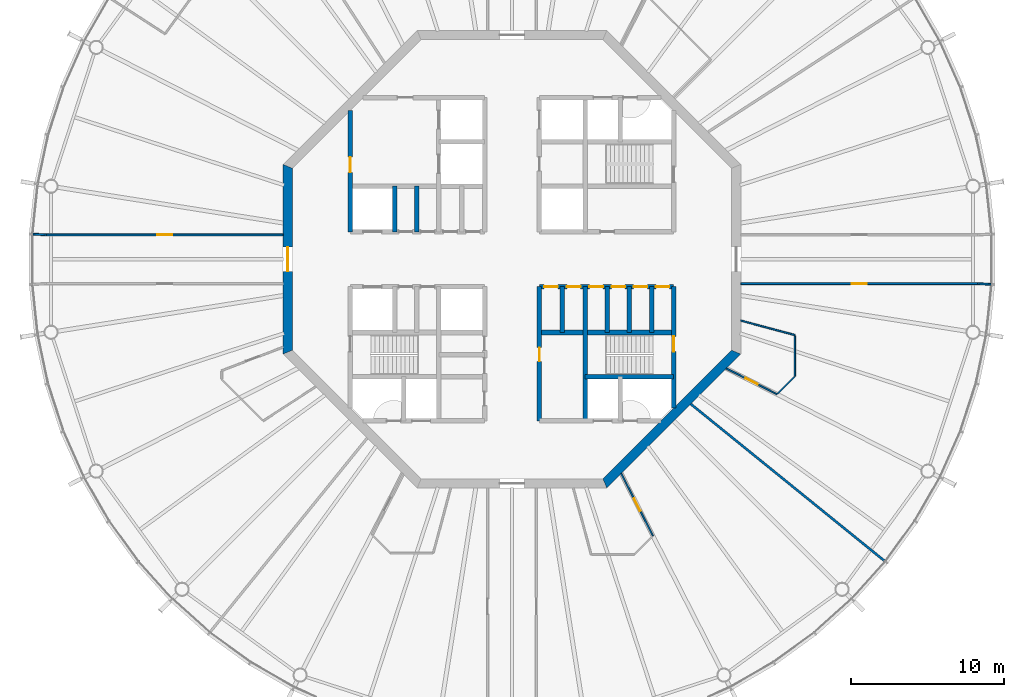
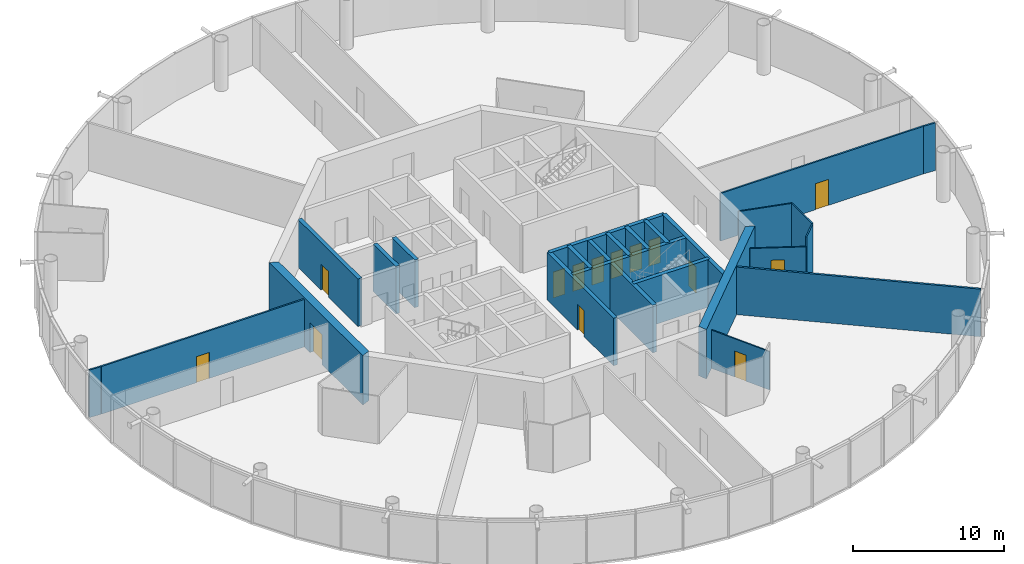
# One storey, part 4 of 19: 25 walls, 14 doors, 14 openings.
"""IFC4 building model written with IfcOpenShell, lengths in metres."""

from ifc_helpers import new_model, si_unit, direction, frame, frame_2d, origin, place, context, subcontext, project, spatial, polyline, rectangle, outline, extrude, material, layer, layer_set, type_object, element, fill, save


model = new_model("IFC4")

# Units and contexts
model_context = context("Model", 3, precision=1e-05, world=origin(), true_north=direction((0.0, 1.0)))
body_context = subcontext(model_context, "Body", "Model", "MODEL_VIEW")
ifc_project = project(units=[si_unit("LENGTHUNIT", "METRE"), si_unit("AREAUNIT", "SQUARE_METRE"), si_unit("VOLUMEUNIT", "CUBIC_METRE"), si_unit("PLANEANGLEUNIT", "RADIAN"), si_unit("MASSUNIT", "GRAM", prefix="KILO")], contexts=[model_context])

# Site, building, storey
site_placement = place(None, origin())
site = spatial("IfcSite", under=ifc_project, at=site_placement, CompositionType="ELEMENT")
building_placement = place(site_placement, origin())
building = spatial("IfcBuilding", under=site, at=building_placement, Name="Entoto Ring Tower", CompositionType="ELEMENT")
storey_placement = place(building_placement, frame((0.0, 0.0, 368.0)))
storey = spatial("IfcBuildingStorey", under=building, at=storey_placement, Name="L85", CompositionType="ELEMENT", Elevation=368.0)

# Wall, opening, door
ifc_material_1 = material(Name="Concrete C40/50", Category="concrete")
ifc_layer_1 = layer(ifc_material_1, 0.300048828125)
ifc_layer_set_1 = layer_set([ifc_layer_1], Name="Concrete C40/50")
wall_type_1 = type_object("IfcWallType", Name="Core enclosure wall 300 mm reinforced concrete", PredefinedType="SOLIDWALL", material=ifc_layer_set_1)
wall_1_placement = place(storey_placement, frame((100.60009765625, 70.2353515625, 0.0), z_axis=(0.0, 0.0, 1.0), x_axis=(0.0, 1.0, 0.0)))
wall_1 = element("IfcWall", 1, at=wall_1_placement, inside=storey, type_object=wall_type_1, Name="wall-L85-001", PredefinedType="SOLIDWALL", context=body_context, shape_type="SweptSolid", body=[
    extrude(rectangle(XDim=7.964599609375, YDim=0.300048828125, at=frame_2d((3.982421875, 0.0))), origin(), (0.0, 0.0, 1.0), 3.85009765625),
])
opening_1_placement = place(wall_1_placement, frame((3.714599609375, 0.0, 0.0)))
opening_1 = element("IfcOpeningElement", 2, at=opening_1_placement, cuts=wall_1, Name="Opening K-31", PredefinedType="OPENING", context=body_context, shape_type="SweptSolid", body=[
    extrude(rectangle(XDim=1.0, YDim=2.10009765625, at=frame_2d((0.5, 1.050048828125))), frame((0.0, 0.16015625, 0.0), z_axis=(0.0, -1.0, 0.0), x_axis=(1.0, 0.0, 0.0)), (0.0, 0.0, 1.0), 0.320068359375),
])
ifc_material_2 = material(Name="Steel door leaf, fire rated", Category="steel")
ifc_layer_2 = layer(ifc_material_2, 0.050048828125)
ifc_layer_set_2 = layer_set([ifc_layer_2], Name="Steel door leaf, fire rated")
door_type_1 = type_object("IfcDoorType", Name="Fire door FD60 1000 x 2100 single leaf", OperationType="NOTDEFINED", PredefinedType="DOOR", material=ifc_layer_set_2)
door_1_placement = place(opening_1_placement, origin())
door_1 = element("IfcDoor", 3, at=door_1_placement, inside=storey, type_object=door_type_1, Name="Door K-31", OperationType="SINGLE_SWING_RIGHT", OverallHeight=2.10009765625, OverallWidth=1.0, PredefinedType="DOOR", context=body_context, shape_type="SweptSolid", body=[
    extrude(rectangle(XDim=1.0, YDim=2.10009765625, at=frame_2d((0.5, 1.050048828125))), frame((0.0, 0.02490234375, 0.0), z_axis=(0.0, -1.0, 0.0), x_axis=(1.0, 0.0, 0.0)), (0.0, 0.0, 1.0), 0.050048828125),
])
fill(opening_1, door_1)

# Walls
for number, where, z_axis, x_axis, name in (
    (4, (99.14990234375, 75.199951171875, 0.0), (0.0, 0.0, 1.0), (0.0, 1.0, 0.0), "wall-L85-003"),
    (5, (97.699951171875, 75.199951171875, 0.0), (0.0, 0.0, 1.0), (0.0, 1.0, 0.0), "wall-L85-004"),
    (6, (96.25, 75.199951171875, 0.0), (0.0, 0.0, 1.0), (0.0, 1.0, 0.0), "wall-L85-007"),
):
    element("IfcWall", number, at=place(storey_placement, frame(where, z_axis=z_axis, x_axis=x_axis)), inside=storey, type_object=wall_type_1, Name=name, PredefinedType="SOLIDWALL", context=body_context, shape_type="SweptSolid", body=[
        extrude(rectangle(XDim=3.0, YDim=0.300048828125, at=frame_2d((1.5, 0.0))), origin(), (0.0, 0.0, 1.0), 3.85009765625),
    ])
wall_2_placement = place(storey_placement, frame((94.800048828125, 69.39990234375, 0.0), z_axis=(0.0, 0.0, 1.0), x_axis=(0.0, 1.0, 0.0)))
element("IfcWall", 7, at=wall_2_placement, inside=storey, type_object=wall_type_1, Name="wall-L85-008", PredefinedType="SOLIDWALL", context=body_context, shape_type="SweptSolid", body=[
    extrude(rectangle(XDim=8.800048828125, YDim=0.300048828125, at=frame_2d((4.39990234375, 0.0))), origin(), (0.0, 0.0, 1.0), 3.85009765625),
])
wall_3_placement = place(storey_placement, frame((93.300048828125, 75.199951171875, 0.0), z_axis=(0.0, 0.0, 1.0), x_axis=(0.0, 1.0, 0.0)))
element("IfcWall", 8, at=wall_3_placement, inside=storey, type_object=wall_type_1, Name="wall-L85-010", PredefinedType="SOLIDWALL", context=body_context, shape_type="SweptSolid", body=[
    extrude(rectangle(XDim=3.0, YDim=0.300048828125, at=frame_2d((1.5, 0.0))), origin(), (0.0, 0.0, 1.0), 3.85009765625),
])

# Wall, opening, door
wall_4_placement = place(storey_placement, frame((91.800048828125, 69.39990234375, 0.0), z_axis=(0.0, 0.0, 1.0), x_axis=(0.0, 1.0, 0.0)))
wall_4 = element("IfcWall", 9, at=wall_4_placement, inside=storey, type_object=wall_type_1, Name="wall-L85-011", PredefinedType="SOLIDWALL", context=body_context, shape_type="SweptSolid", body=[
    extrude(rectangle(XDim=8.800048828125, YDim=0.300048828125, at=frame_2d((4.39990234375, 0.0))), origin(), (0.0, 0.0, 1.0), 3.85009765625),
])
opening_2_placement = place(wall_4_placement, frame((3.89990234375, 0.0, 0.0)))
opening_2 = element("IfcOpeningElement", 10, at=opening_2_placement, cuts=wall_4, Name="Opening K-21", PredefinedType="OPENING", context=body_context, shape_type="SweptSolid", body=[
    extrude(rectangle(XDim=0.89990234375, YDim=2.10009765625, at=frame_2d((0.449951171875, 1.050048828125))), frame((0.0, 0.16015625, 0.0), z_axis=(0.0, -1.0, 0.0), x_axis=(1.0, 0.0, 0.0)), (0.0, 0.0, 1.0), 0.320068359375),
])
ifc_material_3 = material(Name="Steel door leaf, fire rated", Category="steel")
ifc_layer_3 = layer(ifc_material_3, 0.050048828125)
ifc_layer_set_3 = layer_set([ifc_layer_3], Name="Steel door leaf, fire rated")
door_type_2 = type_object("IfcDoorType", Name="Core door 900 x 2100 single leaf", OperationType="NOTDEFINED", PredefinedType="DOOR", material=ifc_layer_set_3)
door_2_placement = place(opening_2_placement, frame((0.89990234375, 0.0, 0.0), z_axis=(0.0, 0.0, 1.0), x_axis=(-1.0, 0.0, 0.0)))
door_2 = element("IfcDoor", 11, at=door_2_placement, inside=storey, type_object=door_type_2, Name="Door K-21", OperationType="SINGLE_SWING_LEFT", OverallHeight=2.10009765625, OverallWidth=0.89990234375, PredefinedType="DOOR", context=body_context, shape_type="SweptSolid", body=[
    extrude(rectangle(XDim=0.89990234375, YDim=2.10009765625, at=frame_2d((0.449951171875, 1.050048828125))), frame((0.0, 0.02490234375, 0.0), z_axis=(0.0, -1.0, 0.0), x_axis=(1.0, 0.0, 0.0)), (0.0, 0.0, 1.0), 0.050048828125),
])
fill(opening_2, door_2)

# Walls
for number, where, z_axis, x_axis, name in (
    (12, (83.75, 81.800048828125, 0.0), (0.0, 0.0, 1.0), (0.0, 1.0, 0.0), "wall-L85-019"),
    (13, (82.300048828125, 81.800048828125, 0.0), (0.0, 0.0, 1.0), (0.0, 1.0, 0.0), "wall-L85-022"),
):
    element("IfcWall", number, at=place(storey_placement, frame(where, z_axis=z_axis, x_axis=x_axis)), inside=storey, type_object=wall_type_1, Name=name, PredefinedType="SOLIDWALL", context=body_context, shape_type="SweptSolid", body=[
        extrude(rectangle(XDim=3.0, YDim=0.300048828125, at=frame_2d((1.5, 0.0))), origin(), (0.0, 0.0, 1.0), 3.85009765625),
    ])

# Wall, opening, door
wall_5_placement = place(storey_placement, frame((79.39990234375, 81.800048828125, 0.0), z_axis=(0.0, 0.0, 1.0), x_axis=(0.0, 1.0, 0.0)))
wall_5 = element("IfcWall", 14, at=wall_5_placement, inside=storey, type_object=wall_type_1, Name="wall-L85-024", PredefinedType="SOLIDWALL", context=body_context, shape_type="SweptSolid", body=[
    extrude(rectangle(XDim=7.964599609375, YDim=0.300048828125, at=frame_2d((3.982421875, 0.0))), origin(), (0.0, 0.0, 1.0), 3.85009765625),
])
opening_3_placement = place(wall_5_placement, frame((3.89990234375, 0.0, 0.0)))
opening_3 = element("IfcOpeningElement", 15, at=opening_3_placement, cuts=wall_5, Name="Opening K-35", PredefinedType="OPENING", context=body_context, shape_type="SweptSolid", body=[
    extrude(rectangle(XDim=1.0, YDim=2.10009765625, at=frame_2d((0.5, 1.050048828125))), frame((0.0, 0.16015625, 0.0), z_axis=(0.0, -1.0, 0.0), x_axis=(1.0, 0.0, 0.0)), (0.0, 0.0, 1.0), 0.320068359375),
])
door_3_placement = place(opening_3_placement, frame((1.0, 0.0, 0.0), z_axis=(0.0, 0.0, 1.0), x_axis=(-1.0, 0.0, 0.0)))
door_3 = element("IfcDoor", 16, at=door_3_placement, inside=storey, type_object=door_type_1, Name="Door K-35", OperationType="SINGLE_SWING_RIGHT", OverallHeight=2.10009765625, OverallWidth=1.0, PredefinedType="DOOR", context=body_context, shape_type="SweptSolid", body=[
    extrude(rectangle(XDim=1.0, YDim=2.10009765625, at=frame_2d((0.5, 1.050048828125))), frame((0.0, 0.02490234375, 0.0), z_axis=(0.0, -1.0, 0.0), x_axis=(1.0, 0.0, 0.0)), (0.0, 0.0, 1.0), 0.050048828125),
])
fill(opening_3, door_3)

# Walls
wall_6_placement = place(storey_placement, frame((94.800048828125, 72.300048828125, 0.0), z_axis=(0.0, 0.0, 1.0), x_axis=(1.0, 0.0, 0.0)))
element("IfcWall", 17, at=wall_6_placement, inside=storey, type_object=wall_type_1, Name="wall-L85-028", PredefinedType="SOLIDWALL", context=body_context, shape_type="SweptSolid", body=[
    extrude(rectangle(XDim=5.800048828125, YDim=0.300048828125, at=frame_2d((2.89990234375, 0.0))), origin(), (0.0, 0.0, 1.0), 3.85009765625),
])
wall_7_placement = place(storey_placement, frame((91.800048828125, 75.199951171875, 0.0), z_axis=(0.0, 0.0, 1.0), x_axis=(1.0, 0.0, 0.0)))
element("IfcWall", 18, at=wall_7_placement, inside=storey, type_object=wall_type_1, Name="wall-L85-031", PredefinedType="SOLIDWALL", context=body_context, shape_type="SweptSolid", body=[
    extrude(rectangle(XDim=8.800048828125, YDim=0.300048828125, at=frame_2d((4.39990234375, 0.0))), origin(), (0.0, 0.0, 1.0), 3.85009765625),
])

# Wall, openings, doors
wall_8_placement = place(storey_placement, frame((91.800048828125, 78.199951171875, 0.0), z_axis=(0.0, 0.0, 1.0), x_axis=(1.0, 0.0, 0.0)))
wall_8 = element("IfcWall", 19, at=wall_8_placement, inside=storey, type_object=wall_type_1, Name="wall-L85-033", PredefinedType="SOLIDWALL", context=body_context, shape_type="SweptSolid", body=[
    extrude(rectangle(XDim=8.800048828125, YDim=0.300048828125, at=frame_2d((4.39990234375, 0.0))), origin(), (0.0, 0.0, 1.0), 3.85009765625),
])
opening_4_placement = place(wall_8_placement, frame((3.27490234375, 0.0, 0.0)))
opening_4 = element("IfcOpeningElement", 20, at=opening_4_placement, cuts=wall_8, Name="Opening K-14", PredefinedType="OPENING", context=body_context, shape_type="SweptSolid", body=[
    extrude(rectangle(XDim=0.89990234375, YDim=2.10009765625, at=frame_2d((0.449951171875, 1.050048828125))), frame((0.0, 0.16015625, 0.0), z_axis=(0.0, -1.0, 0.0), x_axis=(1.0, 0.0, 0.0)), (0.0, 0.0, 1.0), 0.320068359375),
])
opening_5_placement = place(wall_8_placement, frame((4.72509765625, 0.0, 0.0)))
opening_5 = element("IfcOpeningElement", 21, at=opening_5_placement, cuts=wall_8, Name="Opening K-15", PredefinedType="OPENING", context=body_context, shape_type="SweptSolid", body=[
    extrude(rectangle(XDim=0.89990234375, YDim=2.10009765625, at=frame_2d((0.449951171875, 1.050048828125))), frame((0.0, 0.16015625, 0.0), z_axis=(0.0, -1.0, 0.0), x_axis=(1.0, 0.0, 0.0)), (0.0, 0.0, 1.0), 0.320068359375),
])
opening_6_placement = place(wall_8_placement, frame((6.175048828125, 0.0, 0.0)))
opening_6 = element("IfcOpeningElement", 22, at=opening_6_placement, cuts=wall_8, Name="Opening K-16", PredefinedType="OPENING", context=body_context, shape_type="SweptSolid", body=[
    extrude(rectangle(XDim=0.89990234375, YDim=2.10009765625, at=frame_2d((0.449951171875, 1.050048828125))), frame((0.0, 0.16015625, 0.0), z_axis=(0.0, -1.0, 0.0), x_axis=(1.0, 0.0, 0.0)), (0.0, 0.0, 1.0), 0.320068359375),
])
opening_7_placement = place(wall_8_placement, frame((7.625, 0.0, 0.0)))
opening_7 = element("IfcOpeningElement", 23, at=opening_7_placement, cuts=wall_8, Name="Opening K-57", PredefinedType="OPENING", context=body_context, shape_type="SweptSolid", body=[
    extrude(rectangle(XDim=0.89990234375, YDim=2.10009765625, at=frame_2d((0.449951171875, 1.050048828125))), frame((0.0, 0.16015625, 0.0), z_axis=(0.0, -1.0, 0.0), x_axis=(1.0, 0.0, 0.0)), (0.0, 0.0, 1.0), 0.320068359375),
])
opening_8_placement = place(wall_8_placement, frame((0.300048828125, 0.0, 0.0)))
opening_8 = element("IfcOpeningElement", 24, at=opening_8_placement, cuts=wall_8, Name="Opening K-79", PredefinedType="OPENING", context=body_context, shape_type="SweptSolid", body=[
    extrude(rectangle(XDim=0.89990234375, YDim=2.10009765625, at=frame_2d((0.449951171875, 1.050048828125))), frame((0.0, 0.16015625, 0.0), z_axis=(0.0, -1.0, 0.0), x_axis=(1.0, 0.0, 0.0)), (0.0, 0.0, 1.0), 0.320068359375),
])
opening_9_placement = place(wall_8_placement, frame((1.800048828125, 0.0, 0.0)))
opening_9 = element("IfcOpeningElement", 25, at=opening_9_placement, cuts=wall_8, Name="Opening K-81", PredefinedType="OPENING", context=body_context, shape_type="SweptSolid", body=[
    extrude(rectangle(XDim=0.89990234375, YDim=2.10009765625, at=frame_2d((0.449951171875, 1.050048828125))), frame((0.0, 0.16015625, 0.0), z_axis=(0.0, -1.0, 0.0), x_axis=(1.0, 0.0, 0.0)), (0.0, 0.0, 1.0), 0.320068359375),
])
door_4_placement = place(opening_4_placement, frame((0.89990234375, 0.0, 0.0), z_axis=(0.0, 0.0, 1.0), x_axis=(-1.0, 0.0, 0.0)))
door_4 = element("IfcDoor", 26, at=door_4_placement, inside=storey, type_object=door_type_2, Name="Door K-14", OperationType="SINGLE_SWING_LEFT", OverallHeight=2.10009765625, OverallWidth=0.89990234375, PredefinedType="DOOR", context=body_context, shape_type="SweptSolid", body=[
    extrude(rectangle(XDim=0.89990234375, YDim=2.10009765625, at=frame_2d((0.449951171875, 1.050048828125))), frame((0.0, 0.02490234375, 0.0), z_axis=(0.0, -1.0, 0.0), x_axis=(1.0, 0.0, 0.0)), (0.0, 0.0, 1.0), 0.050048828125),
])
fill(opening_4, door_4)
door_5_placement = place(opening_5_placement, frame((0.89990234375, 0.0, 0.0), z_axis=(0.0, 0.0, 1.0), x_axis=(-1.0, 0.0, 0.0)))
door_5 = element("IfcDoor", 27, at=door_5_placement, inside=storey, type_object=door_type_2, Name="Door K-15", OperationType="SINGLE_SWING_RIGHT", OverallHeight=2.10009765625, OverallWidth=0.89990234375, PredefinedType="DOOR", context=body_context, shape_type="SweptSolid", body=[
    extrude(rectangle(XDim=0.89990234375, YDim=2.10009765625, at=frame_2d((0.449951171875, 1.050048828125))), frame((0.0, 0.02490234375, 0.0), z_axis=(0.0, -1.0, 0.0), x_axis=(1.0, 0.0, 0.0)), (0.0, 0.0, 1.0), 0.050048828125),
])
fill(opening_5, door_5)
door_6_placement = place(opening_6_placement, frame((0.89990234375, 0.0, 0.0), z_axis=(0.0, 0.0, 1.0), x_axis=(-1.0, 0.0, 0.0)))
door_6 = element("IfcDoor", 28, at=door_6_placement, inside=storey, type_object=door_type_2, Name="Door K-16", OperationType="SINGLE_SWING_RIGHT", OverallHeight=2.10009765625, OverallWidth=0.89990234375, PredefinedType="DOOR", context=body_context, shape_type="SweptSolid", body=[
    extrude(rectangle(XDim=0.89990234375, YDim=2.10009765625, at=frame_2d((0.449951171875, 1.050048828125))), frame((0.0, 0.02490234375, 0.0), z_axis=(0.0, -1.0, 0.0), x_axis=(1.0, 0.0, 0.0)), (0.0, 0.0, 1.0), 0.050048828125),
])
fill(opening_6, door_6)
door_7_placement = place(opening_7_placement, frame((0.89990234375, 0.0, 0.0), z_axis=(0.0, 0.0, 1.0), x_axis=(-1.0, 0.0, 0.0)))
door_7 = element("IfcDoor", 29, at=door_7_placement, inside=storey, type_object=door_type_2, Name="Door K-57", OperationType="SINGLE_SWING_RIGHT", OverallHeight=2.10009765625, OverallWidth=0.89990234375, PredefinedType="DOOR", context=body_context, shape_type="SweptSolid", body=[
    extrude(rectangle(XDim=0.89990234375, YDim=2.10009765625, at=frame_2d((0.449951171875, 1.050048828125))), frame((0.0, 0.02490234375, 0.0), z_axis=(0.0, -1.0, 0.0), x_axis=(1.0, 0.0, 0.0)), (0.0, 0.0, 1.0), 0.050048828125),
])
fill(opening_7, door_7)
door_8_placement = place(opening_8_placement, frame((0.89990234375, 0.0, 0.0), z_axis=(0.0, 0.0, 1.0), x_axis=(-1.0, 0.0, 0.0)))
door_8 = element("IfcDoor", 30, at=door_8_placement, inside=storey, type_object=door_type_2, Name="Door K-79", OperationType="SINGLE_SWING_RIGHT", OverallHeight=2.10009765625, OverallWidth=0.89990234375, PredefinedType="DOOR", context=body_context, shape_type="SweptSolid", body=[
    extrude(rectangle(XDim=0.89990234375, YDim=2.10009765625, at=frame_2d((0.449951171875, 1.050048828125))), frame((0.0, 0.02490234375, 0.0), z_axis=(0.0, -1.0, 0.0), x_axis=(1.0, 0.0, 0.0)), (0.0, 0.0, 1.0), 0.050048828125),
])
fill(opening_8, door_8)
door_9_placement = place(opening_9_placement, frame((0.89990234375, 0.0, 0.0), z_axis=(0.0, 0.0, 1.0), x_axis=(-1.0, 0.0, 0.0)))
door_9 = element("IfcDoor", 31, at=door_9_placement, inside=storey, type_object=door_type_2, Name="Door K-81", OperationType="SINGLE_SWING_RIGHT", OverallHeight=2.10009765625, OverallWidth=0.89990234375, PredefinedType="DOOR", context=body_context, shape_type="SweptSolid", body=[
    extrude(rectangle(XDim=0.89990234375, YDim=2.10009765625, at=frame_2d((0.449951171875, 1.050048828125))), frame((0.0, 0.02490234375, 0.0), z_axis=(0.0, -1.0, 0.0), x_axis=(1.0, 0.0, 0.0)), (0.0, 0.0, 1.0), 0.050048828125),
])
fill(opening_9, door_9)

# Wall, opening, door
ifc_material_4 = material(Name="Concrete C40/50", Category="concrete")
ifc_layer_4 = layer(ifc_material_4, 0.60009765625)
ifc_layer_set_4 = layer_set([ifc_layer_4], Name="Concrete C40/50")
wall_type_2 = type_object("IfcWallType", Name="Core shear wall 600 mm reinforced concrete C40/50", PredefinedType="SHEAR", material=ifc_layer_set_4)
wall_9_placement = place(storey_placement, frame((75.300048828125, 86.0888671875, 0.0), z_axis=(0.0, 0.0, 1.0), x_axis=(0.0, -1.0, 0.0)))
wall_9 = element("IfcWall", 32, at=wall_9_placement, inside=storey, type_object=wall_type_2, Name="wall-L85-core-4", PredefinedType="SHEAR", context=body_context, shape_type="SweptSolid", body=[
    extrude(outline(polyline([(-0.124267578125, -0.300048828125), (12.302001953125, -0.300048828125), (12.053466796875, 0.300048828125), (0.124267578125, 0.300048828125), (-0.124267578125, -0.300048828125)])), origin(), (0.0, 0.0, 1.0), 4.0),
])
opening_10_placement = place(wall_9_placement, frame((5.288818359375, 0.0, 0.0)))
opening_10 = element("IfcOpeningElement", 33, at=opening_10_placement, cuts=wall_9, Name="Opening K-03", PredefinedType="OPENING", context=body_context, shape_type="SweptSolid", body=[
    extrude(rectangle(XDim=1.60009765625, YDim=2.39990234375, at=frame_2d((0.800048828125, 1.199951171875))), frame((0.0, 0.31005859375, 0.0), z_axis=(0.0, -1.0, 0.0), x_axis=(1.0, 0.0, 0.0)), (0.0, 0.0, 1.0), 0.6201171875),
])
ifc_material_5 = material(Name="Steel door leaf, fire rated", Category="steel")
ifc_layer_5 = layer(ifc_material_5, 0.050048828125)
ifc_layer_set_5 = layer_set([ifc_layer_5], Name="Steel door leaf, fire rated")
door_type_3 = type_object("IfcDoorType", Name="Entrance door FD60 1600 x 2400 double leaf", OperationType="DOUBLE_DOOR_SINGLE_SWING", PredefinedType="DOOR", material=ifc_layer_set_5)
door_10_placement = place(opening_10_placement, origin())
door_10 = element("IfcDoor", 34, at=door_10_placement, inside=storey, type_object=door_type_3, Name="Entrance door K-03", OperationType="DOUBLE_DOOR_SINGLE_SWING", OverallHeight=2.39990234375, OverallWidth=1.60009765625, PredefinedType="DOOR", context=body_context, shape_type="SweptSolid", body=[
    extrude(rectangle(XDim=1.60009765625, YDim=2.39990234375, at=frame_2d((0.800048828125, 1.199951171875))), frame((0.0, 0.02490234375, 0.0), z_axis=(0.0, -1.0, 0.0), x_axis=(1.0, 0.0, 0.0)), (0.0, 0.0, 1.0), 0.050048828125),
])
fill(opening_10, door_10)

# Wall
wall_10_placement = place(storey_placement, frame((96.0888671875, 65.300048828125, 0.0), z_axis=(0.0, 0.0, 1.0), x_axis=(0.707106781187, 0.707106781187, 0.0)))
element("IfcWall", 35, at=wall_10_placement, inside=storey, type_object=wall_type_2, Name="wall-L85-core-7", PredefinedType="SHEAR", context=body_context, shape_type="SweptSolid", body=[
    extrude(outline(polyline([(-0.124267578125, -0.300048828125), (12.30224609375, -0.300048828125), (12.0537109375, 0.300048828125), (0.124267578125, 0.300048828125), (-0.124267578125, -0.300048828125)])), origin(), (0.0, 0.0, 1.0), 4.0),
])

# Wall, opening, door
ifc_material_6 = material(Name="Fire-resisting plasterboard on steel studs", Category="steel")
ifc_layer_6 = layer(ifc_material_6, 0.125)
ifc_layer_set_6 = layer_set([ifc_layer_6], Name="Fire-resisting plasterboard on steel studs")
wall_type_3 = type_object("IfcWallType", Name="Corridor wall 125 mm one-hour plasterboard on steel studs", PredefinedType="PARTITIONING", material=ifc_layer_set_6)
wall_11_placement = place(storey_placement, frame((59.47021484375, 81.60009765625, 0.0), z_axis=(0.0, 0.0, 1.0), x_axis=(1.0, 0.0, 0.0)))
wall_11 = element("IfcWall", 36, at=wall_11_placement, inside=storey, type_object=wall_type_3, Name="partition-L85-002", PredefinedType="PARTITIONING", context=body_context, shape_type="SweptSolid", body=[
    extrude(rectangle(XDim=15.52978515625, YDim=0.125, at=frame_2d((7.764892578125, 0.0))), origin(), (0.0, 0.0, 1.0), 3.85009765625),
])
opening_11_placement = place(wall_11_placement, frame((7.264892578125, 0.0, 0.0)))
opening_11 = element("IfcOpeningElement", 37, at=opening_11_placement, cuts=wall_11, Name="Opening A36-D05", PredefinedType="OPENING", context=body_context, shape_type="SweptSolid", body=[
    extrude(rectangle(XDim=1.0, YDim=2.10009765625, at=frame_2d((0.5, 1.050048828125))), frame((0.0, 0.072509765625, 0.0), z_axis=(0.0, -1.0, 0.0), x_axis=(1.0, 0.0, 0.0)), (0.0, 0.0, 1.0), 0.14501953125),
])
ifc_material_7 = material(Name="Fire-resisting timber door set", Category="wood")
door_type_4 = type_object("IfcDoorType", Name="Door 1000 x 2100 single leaf FD30S fire door", OperationType="NOTDEFINED", PredefinedType="DOOR", material=ifc_material_7)
door_11_placement = place(opening_11_placement, origin())
door_11 = element("IfcDoor", 38, at=door_11_placement, inside=storey, type_object=door_type_4, Name="Door A36-D05", OperationType="SINGLE_SWING_RIGHT", OverallHeight=2.10009765625, OverallWidth=1.0, PredefinedType="DOOR", context=body_context, shape_type="SweptSolid", body=[
    extrude(rectangle(XDim=1.0, YDim=2.10009765625, at=frame_2d((0.5, 1.050048828125))), frame((0.0, 0.02490234375, 0.0), z_axis=(0.0, -1.0, 0.0), x_axis=(1.0, 0.0, 0.0)), (0.0, 0.0, 1.0), 0.050048828125),
])
fill(opening_11, door_11)

wall_12_placement = place(storey_placement, frame((105.0, 78.39990234375, 0.0), z_axis=(0.0, 0.0, 1.0), x_axis=(1.0, 0.0, 0.0)))
wall_12 = element("IfcWall", 39, at=wall_12_placement, inside=storey, type_object=wall_type_3, Name="partition-L85-007", PredefinedType="PARTITIONING", context=body_context, shape_type="SweptSolid", body=[
    extrude(rectangle(XDim=15.52978515625, YDim=0.125, at=frame_2d((7.764892578125, 0.0))), origin(), (0.0, 0.0, 1.0), 3.85009765625),
])
opening_12_placement = place(wall_12_placement, frame((7.264892578125, 0.0, 0.0)))
opening_12 = element("IfcOpeningElement", 40, at=opening_12_placement, cuts=wall_12, Name="Opening A36-D13", PredefinedType="OPENING", context=body_context, shape_type="SweptSolid", body=[
    extrude(rectangle(XDim=1.0, YDim=2.10009765625, at=frame_2d((0.5, 1.050048828125))), frame((0.0, 0.072509765625, 0.0), z_axis=(0.0, -1.0, 0.0), x_axis=(1.0, 0.0, 0.0)), (0.0, 0.0, 1.0), 0.14501953125),
])
door_12_placement = place(opening_12_placement, frame((1.0, 0.0, 0.0), z_axis=(0.0, 0.0, 1.0), x_axis=(-1.0, 0.0, 0.0)))
door_12 = element("IfcDoor", 41, at=door_12_placement, inside=storey, type_object=door_type_4, Name="Door A36-D13", OperationType="SINGLE_SWING_RIGHT", OverallHeight=2.10009765625, OverallWidth=1.0, PredefinedType="DOOR", context=body_context, shape_type="SweptSolid", body=[
    extrude(rectangle(XDim=1.0, YDim=2.10009765625, at=frame_2d((0.5, 1.050048828125))), frame((0.0, 0.02490234375, 0.0), z_axis=(0.0, -1.0, 0.0), x_axis=(1.0, 0.0, 0.0)), (0.0, 0.0, 1.0), 0.050048828125),
])
fill(opening_12, door_12)

# Walls
for number, where, z_axis, x_axis, name in (
    (42, (59.466796875, 81.60009765625, 0.0), (0.0, 0.0, 1.0), (-0.998620946423, 0.052499574911, 0.0), "partition-L85-010"),
    (43, (121.39697265625, 78.3544921875, 0.0), (0.0, 0.0, 1.0), (-0.998620946423, 0.052499574911, 0.0), "partition-L85-016"),
):
    element("IfcWall", number, at=place(storey_placement, frame(where, z_axis=z_axis, x_axis=x_axis)), inside=storey, type_object=wall_type_3, Name=name, PredefinedType="PARTITIONING", context=body_context, shape_type="SweptSolid", body=[
        extrude(rectangle(XDim=0.864990234375, YDim=0.125, at=frame_2d((0.4326171875, 0.0))), origin(), (0.0, 0.0, 1.0), 3.85009765625),
    ])
ifc_material_8 = material(Name="Plasterboard on steel studs", Category="steel")
ifc_layer_7 = layer(ifc_material_8, 0.10009765625)
ifc_layer_set_7 = layer_set([ifc_layer_7], Name="Plasterboard on steel studs")
wall_type_4 = type_object("IfcWallType", Name="Partition 100 mm plasterboard on steel studs", PredefinedType="PARTITIONING", material=ifc_layer_set_7)
wall_13_placement = place(storey_placement, frame((108.550048828125, 75.029541015625, 0.0), z_axis=(0.0, 0.0, 1.0), x_axis=(-0.96592996475, 0.258803599661, 0.0)))
element("IfcWall", 44, at=wall_13_placement, inside=storey, type_object=wall_type_4, Name="partition-L85-032", PredefinedType="PARTITIONING", context=body_context, shape_type="SweptSolid", body=[
    extrude(rectangle(XDim=3.67529296875, YDim=0.10009765625, at=frame_2d((1.837646484375, 0.0))), origin(), (0.0, 0.0, 1.0), 3.85009765625),
])
wall_14_placement = place(storey_placement, frame((108.550048828125, 72.31640625, 0.0), z_axis=(0.0, 0.0, 1.0), x_axis=(0.0, 1.0, 0.0)))
element("IfcWall", 45, at=wall_14_placement, inside=storey, type_object=wall_type_4, Name="partition-L85-038", PredefinedType="PARTITIONING", context=body_context, shape_type="SweptSolid", body=[
    extrude(rectangle(XDim=2.6650390625, YDim=0.10009765625, at=frame_2d((1.33251953125, 0.0))), origin(), (0.0, 0.0, 1.0), 3.85009765625),
])
wall_15_placement = place(storey_placement, frame((107.412353515625, 71.1787109375, 0.0), z_axis=(0.0, 0.0, 1.0), x_axis=(0.707106781187, 0.707106781187, 0.0)))
element("IfcWall", 46, at=wall_15_placement, inside=storey, type_object=wall_type_4, Name="partition-L85-041", PredefinedType="PARTITIONING", context=body_context, shape_type="SweptSolid", body=[
    extrude(rectangle(XDim=1.57373046875, YDim=0.10009765625, at=frame_2d((0.786865234375, 0.0))), origin(), (0.0, 0.0, 1.0), 3.85009765625),
])

# Wall, opening, door
ifc_material_9 = material(Name="Plasterboard on steel studs", Category="steel")
ifc_layer_8 = layer(ifc_material_9, 0.10009765625)
ifc_layer_set_8 = layer_set([ifc_layer_8], Name="Plasterboard on steel studs")
wall_type_5 = type_object("IfcWallType", Name="Partition 100 mm plasterboard on steel studs, 3097 mm high", PredefinedType="PARTITIONING", material=ifc_layer_set_8)
wall_16_placement = place(storey_placement, frame((99.24169921875, 61.8623046875, 0.0), z_axis=(0.0, 0.0, 1.0), x_axis=(-0.453995983441, 0.891003730082, 0.0)))
wall_16 = element("IfcWall", 47, at=wall_16_placement, inside=storey, type_object=wall_type_5, Name="partition-L85-022", PredefinedType="PARTITIONING", context=body_context, shape_type="SweptSolid", body=[
    extrude(rectangle(XDim=4.58447265625, YDim=0.10009765625, at=frame_2d((2.292236328125, 0.0))), origin(), (0.0, 0.0, 1.0), 3.096923828125),
])
opening_13_placement = place(wall_16_placement, frame((1.84228515625, 0.0, 0.0)))
opening_13 = element("IfcOpeningElement", 48, at=opening_13_placement, cuts=wall_16, Name="Opening A36-D12", PredefinedType="OPENING", context=body_context, shape_type="SweptSolid", body=[
    extrude(rectangle(XDim=0.89990234375, YDim=2.10009765625, at=frame_2d((0.449951171875, 1.050048828125))), frame((0.0, 0.06005859375, 0.0), z_axis=(0.0, -1.0, 0.0), x_axis=(1.0, 0.0, 0.0)), (0.0, 0.0, 1.0), 0.1201171875),
])
ifc_material_10 = material(Name="Veneered timber door leaf in timber frame", Category="wood")
door_type_5 = type_object("IfcDoorType", Name="Door 900 x 2100 single leaf timber veneer", OperationType="NOTDEFINED", PredefinedType="DOOR", material=ifc_material_10)
door_13_placement = place(opening_13_placement, origin())
door_13 = element("IfcDoor", 49, at=door_13_placement, inside=storey, type_object=door_type_5, Name="Door A36-D12", OperationType="SINGLE_SWING_RIGHT", OverallHeight=2.10009765625, OverallWidth=0.89990234375, PredefinedType="DOOR", context=body_context, shape_type="SweptSolid", body=[
    extrude(rectangle(XDim=0.89990234375, YDim=2.10009765625, at=frame_2d((0.449951171875, 1.050048828125))), frame((0.0, 0.02490234375, 0.0), z_axis=(0.0, -1.0, 0.0), x_axis=(1.0, 0.0, 0.0)), (0.0, 0.0, 1.0), 0.050048828125),
])
fill(opening_13, door_13)

wall_17_placement = place(storey_placement, frame((107.378662109375, 71.14501953125, 0.0), z_axis=(0.0, 0.0, 1.0), x_axis=(-0.891000059583, 0.454003187019, 0.0)))
wall_17 = element("IfcWall", 50, at=wall_17_placement, inside=storey, type_object=wall_type_5, Name="partition-L85-031", PredefinedType="PARTITIONING", context=body_context, shape_type="SweptSolid", body=[
    extrude(rectangle(XDim=3.732421875, YDim=0.10009765625, at=frame_2d((1.8662109375, 0.0))), origin(), (0.0, 0.0, 1.0), 3.096923828125),
])
opening_14_placement = place(wall_17_placement, frame((1.416259765625, 0.0, 0.0)))
opening_14 = element("IfcOpeningElement", 51, at=opening_14_placement, cuts=wall_17, Name="Opening A36-D14", PredefinedType="OPENING", context=body_context, shape_type="SweptSolid", body=[
    extrude(rectangle(XDim=0.89990234375, YDim=2.10009765625, at=frame_2d((0.449951171875, 1.050048828125))), frame((0.0, 0.06005859375, 0.0), z_axis=(0.0, -1.0, 0.0), x_axis=(1.0, 0.0, 0.0)), (0.0, 0.0, 1.0), 0.1201171875),
])
door_14_placement = place(opening_14_placement, frame((0.89990234375, 0.0, 0.0), z_axis=(0.0, 0.0, 1.0), x_axis=(-1.0, 0.0, 0.0)))
door_14 = element("IfcDoor", 52, at=door_14_placement, inside=storey, type_object=door_type_5, Name="Door A36-D14", OperationType="SINGLE_SWING_LEFT", OverallHeight=2.10009765625, OverallWidth=0.89990234375, PredefinedType="DOOR", context=body_context, shape_type="SweptSolid", body=[
    extrude(rectangle(XDim=0.89990234375, YDim=2.10009765625, at=frame_2d((0.449951171875, 1.050048828125))), frame((0.0, 0.02490234375, 0.0), z_axis=(0.0, -1.0, 0.0), x_axis=(1.0, 0.0, 0.0)), (0.0, 0.0, 1.0), 0.050048828125),
])
fill(opening_14, door_14)

# Wall
ifc_material_11 = material(Name="Fire-resisting acoustic plasterboard on steel studs", Category="steel")
ifc_layer_9 = layer(ifc_material_11, 0.14990234375)
ifc_layer_set_9 = layer_set([ifc_layer_9], Name="Fire-resisting acoustic plasterboard on steel studs")
wall_type_6 = type_object("IfcWallType", Name="Party wall 150 mm one-hour acoustic plasterboard on steel studs", PredefinedType="PARTITIONING", material=ifc_layer_set_9)
wall_18_placement = place(storey_placement, frame((114.43359375, 60.214111328125, 0.0), z_axis=(0.0, 0.0, 1.0), x_axis=(-0.777143368827, 0.629323592667, 0.0)))
element("IfcWall", 53, at=wall_18_placement, inside=storey, type_object=wall_type_6, Name="partition-L85-018", PredefinedType="PARTITIONING", context=body_context, shape_type="SweptSolid", body=[
    extrude(rectangle(XDim=16.357666015625, YDim=0.14990234375, at=frame_2d((8.1787109375, 0.0))), origin(), (0.0, 0.0, 1.0), 3.85009765625),
])

save(model, "model.ifc")
